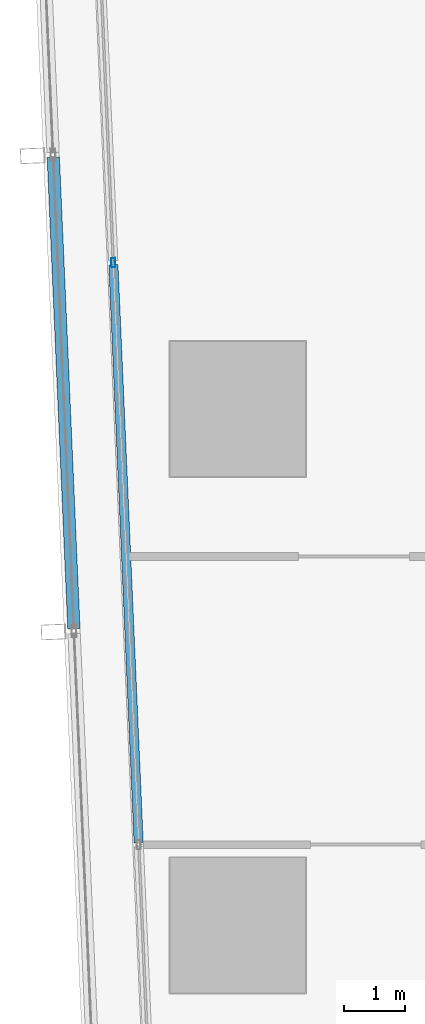
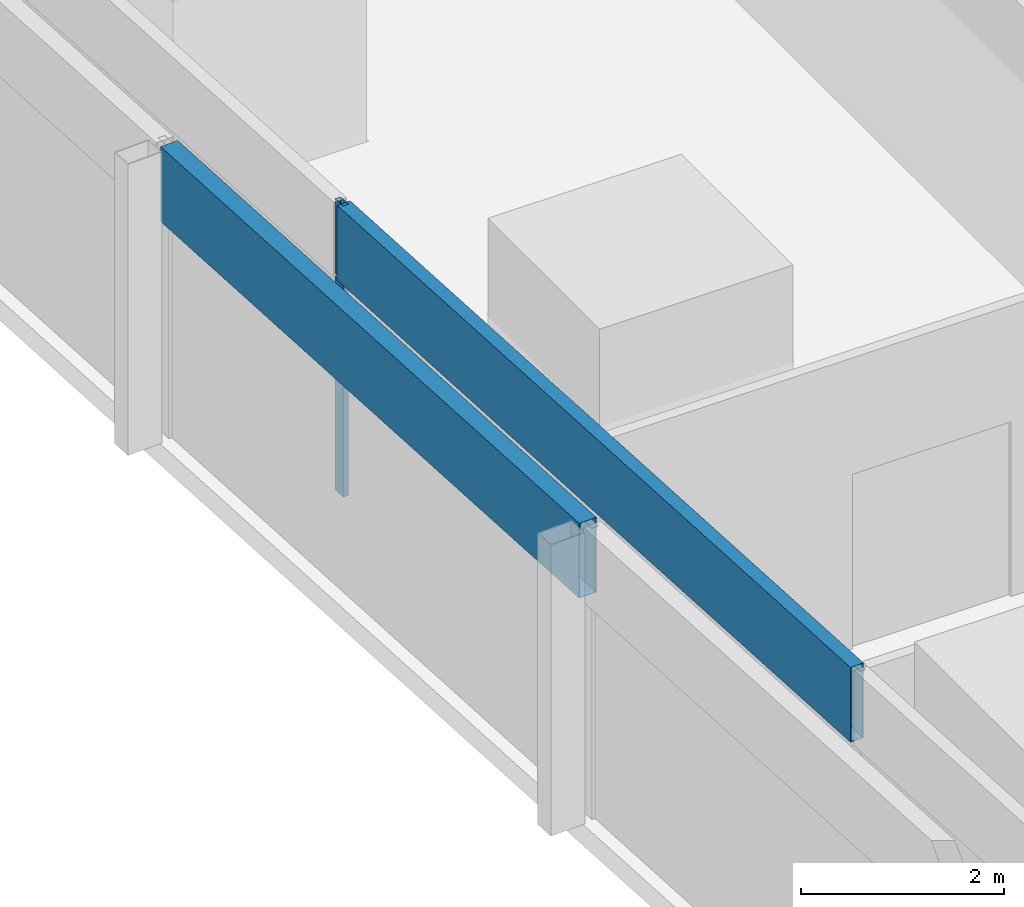
# One storey, part 8 of 44: 3 members, 2 elements without a shape of their own.
"""IFC4 building model written with IfcOpenShell, lengths in metres."""

from ifc_helpers import new_model, si_unit, direction, frame, origin, origin_2d, place, context, subcontext, project, spatial, hollow_rectangle, extrude, material, material_profile, profile_set, type_object, element, aggregate, save


model = new_model("IFC4")

# Units and contexts
model_context = context("Model", 3, precision=1e-05, world=origin(), true_north=direction((0.0, 1.0)))
body_context = subcontext(model_context, "Body", "Model", "MODEL_VIEW")
ifc_project = project(units=[si_unit("LENGTHUNIT", "METRE"), si_unit("AREAUNIT", "SQUARE_METRE"), si_unit("VOLUMEUNIT", "CUBIC_METRE"), si_unit("PLANEANGLEUNIT", "RADIAN"), si_unit("MASSUNIT", "GRAM", prefix="KILO")], contexts=[model_context])

# Site, building, storey
site_placement = place(None, origin())
site = spatial("IfcSite", under=ifc_project, at=site_placement, CompositionType="ELEMENT")
building_placement = place(site_placement, origin())
building = spatial("IfcBuilding", under=site, at=building_placement, Name="Rekha Terrace Tower", CompositionType="ELEMENT")
storey_placement = place(building_placement, frame((0.0, 0.0, 62.89990234375)))
storey = spatial("IfcBuildingStorey", under=building, at=storey_placement, Name="L15", CompositionType="ELEMENT", Elevation=62.89990234375)

# Curtain wall, members
ifc_material_1 = material(Name="Aluminium framing", Category="aluminium")
curtain_wall_type_1 = type_object("IfcCurtainWallType", Name="CW1 double skin inner glazing", PredefinedType="USERDEFINED", material=ifc_material_1)
curtain_wall_1_placement = place(storey_placement, origin())
curtain_wall_1 = element("IfcCurtainWall", 1, at=curtain_wall_1_placement, inside=storey, type_object=curtain_wall_type_1, Name="CW1 double skin inner glazing", ObjectType="DOUBLE SKIN INNER GLAZING", PredefinedType="USERDEFINED")
ifc_material_2 = material(Name="Aluminium mullion section", Category="aluminium")
ifc_material_profile_1 = material_profile(ifc_material_2, hollow_rectangle(XDim=0.06494140625, YDim=0.14990234375, WallThickness=0.00390625, at=origin_2d()), Name="AL RHS 65x150")
ifc_profile_set_1 = profile_set([ifc_material_profile_1], Name="Aluminium mullion section")
member_type_1 = type_object("IfcMemberType", Name="CW1 mullion RHS 65 x 150", PredefinedType="MULLION", material=ifc_profile_set_1)
member_1_placement = place(storey_placement, frame((6.37646484375, 35.978271484375, 0.0), z_axis=(0.0, 0.0, 1.0), x_axis=(0.999045462133, 0.043682543337, 0.0)))
member_1 = element("IfcMember", 2, at=member_1_placement, type_object=member_type_1, Name="CW1 mullion 2", PredefinedType="MULLION", context=body_context, shape_type="SweptSolid", body=[
    extrude(hollow_rectangle(XDim=0.06494140625, YDim=0.14990234375, WallThickness=0.00390625, at=origin_2d()), origin(), (0.0, 0.0, 1.0), 3.5),
])
ifc_material_3 = material(Name="Insulated aluminium spandrel box", Category="aluminium")
ifc_material_profile_2 = material_profile(ifc_material_3, hollow_rectangle(XDim=0.14990234375, YDim=0.89990234375, WallThickness=0.0029296875, at=origin_2d()), Name="AL SPANDREL BOX 150x900")
ifc_profile_set_2 = profile_set([ifc_material_profile_2], Name="Insulated aluminium spandrel box")
member_type_2 = type_object("IfcMemberType", Name="CW1 spandrel transom 150 x 900", PredefinedType="USERDEFINED", material=ifc_profile_set_2)
member_2_placement = place(storey_placement, frame((6.3779296875, 35.94580078125, 3.050048828125), z_axis=(0.043666917606, -0.999046145234, 0.0), x_axis=(0.999046145234, 0.043666917606, 0.0)))
member_2 = element("IfcMember", 3, at=member_2_placement, type_object=member_type_2, Name="CW1 spandrel transom 2", ObjectType="TRANSOM", PredefinedType="USERDEFINED", context=body_context, shape_type="SweptSolid", body=[
    extrude(hollow_rectangle(XDim=0.14990234375, YDim=0.89990234375, WallThickness=0.0029296875, at=origin_2d()), origin(), (0.0, 0.0, 1.0), 9.40966796875),
])
aggregate(curtain_wall_1, [member_1, member_2])

# Curtain wall, member
curtain_wall_type_2 = type_object("IfcCurtainWallType", Name="CW2 double skin outer glazing", PredefinedType="USERDEFINED", material=ifc_material_1)
curtain_wall_2_placement = place(storey_placement, origin())
curtain_wall_2 = element("IfcCurtainWall", 4, at=curtain_wall_2_placement, inside=storey, type_object=curtain_wall_type_2, Name="CW2 double skin outer glazing", ObjectType="DOUBLE SKIN OUTER GLAZING", PredefinedType="USERDEFINED")
ifc_material_profile_3 = material_profile(ifc_material_3, hollow_rectangle(XDim=0.199951171875, YDim=0.89990234375, WallThickness=0.0029296875, at=origin_2d()), Name="AL SPANDREL BOX 200x900")
ifc_profile_set_3 = profile_set([ifc_material_profile_3], Name="Insulated aluminium spandrel box")
member_type_3 = type_object("IfcMemberType", Name="CW2 spandrel transom 200 x 900", PredefinedType="USERDEFINED", material=ifc_profile_set_3)
member_3_placement = place(storey_placement, frame((5.400634765625, 37.690185546875, 3.050048828125), z_axis=(0.04369270591, -0.99904501773, 0.0), x_axis=(0.99904501773, 0.04369270591, 0.0)))
member_3 = element("IfcMember", 5, at=member_3_placement, type_object=member_type_3, Name="CW2 spandrel transom 2", ObjectType="TRANSOM", PredefinedType="USERDEFINED", context=body_context, shape_type="SweptSolid", body=[
    extrude(hollow_rectangle(XDim=0.199951171875, YDim=0.89990234375, WallThickness=0.0029296875, at=origin_2d()), origin(), (0.0, 0.0, 1.0), 7.671875),
])
aggregate(curtain_wall_2, [member_3])

save(model, "model.ifc")
